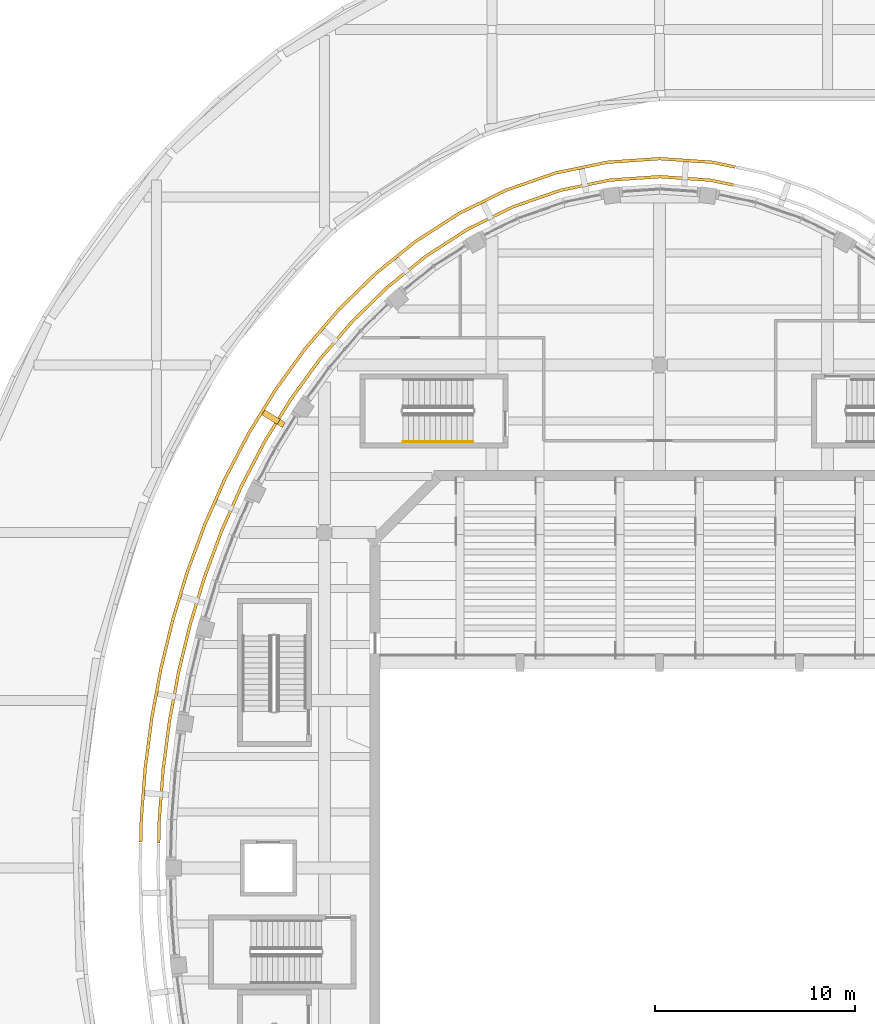
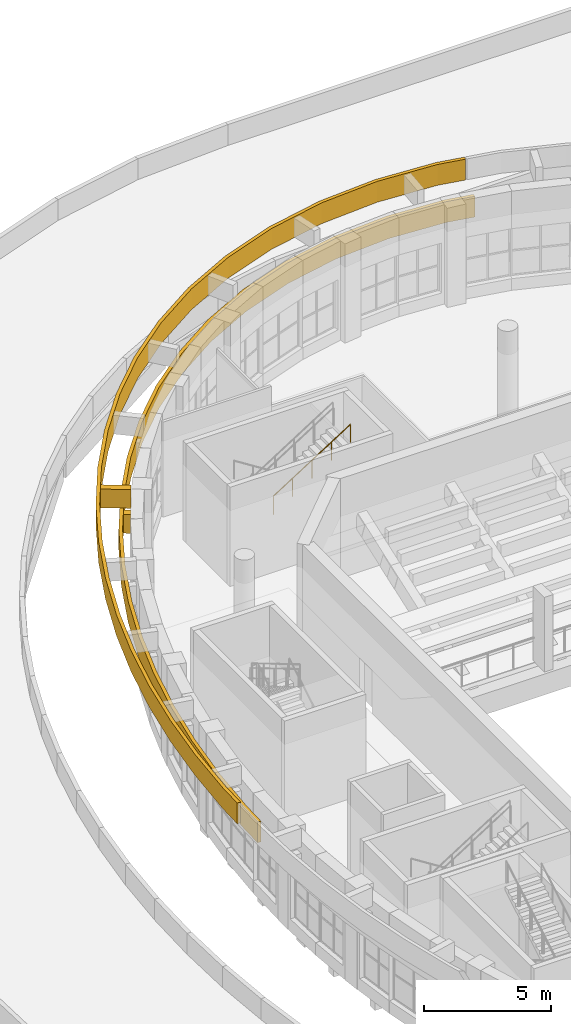
# One storey, part 75 of 79: 4 coverings, 1 railing.
"""IFC4 building model written with IfcOpenShell, lengths in metres."""

from ifc_helpers import new_model, si_unit, direction, frame, origin, origin_2d, place, context, subcontext, project, spatial, polyline, rectangle, circle, outline, extrude, material, layer, layer_set, type_object, element, save


model = new_model("IFC4")

# Units and contexts
model_context = context("Model", 3, precision=1e-05, world=origin(), true_north=direction((0.0, 1.0)))
body_context = subcontext(model_context, "Body", "Model", "MODEL_VIEW")
ifc_project = project(units=[si_unit("LENGTHUNIT", "METRE"), si_unit("AREAUNIT", "SQUARE_METRE"), si_unit("VOLUMEUNIT", "CUBIC_METRE"), si_unit("PLANEANGLEUNIT", "RADIAN"), si_unit("MASSUNIT", "GRAM", prefix="KILO")], contexts=[model_context])

# Site, building, storey
site_placement = place(None, origin())
site = spatial("IfcSite", under=ifc_project, at=site_placement, CompositionType="ELEMENT")
building_placement = place(site_placement, origin())
building = spatial("IfcBuilding", under=site, at=building_placement, Name="Larchfold Concert Hall", CompositionType="ELEMENT")
storey_placement = place(building_placement, frame((0.0, 0.0, 14.39990234375)))
storey = spatial("IfcBuildingStorey", under=building, at=storey_placement, Name="L03", CompositionType="ELEMENT", Elevation=14.39990234375)

# Coverings
ifc_material_1 = material(Name="Powder-coated orange aluminium", Category="aluminium")
ifc_layer_1 = layer(ifc_material_1, 0.14990234375)
ifc_layer_set_1 = layer_set([ifc_layer_1], Name="Powder-coated orange aluminium")
covering_type_1 = type_object("IfcCoveringType", Name="Orange aluminium ring cladding", PredefinedType="CLADDING", material=ifc_layer_set_1)
covering_1_placement = place(storey_placement, frame((0.0, 0.0, 3.300048828125)))
element("IfcCovering", 1, at=covering_1_placement, inside=storey, type_object=covering_type_1, Name="Ring band R06b", PredefinedType="CLADDING", context=body_context, shape_type="SweptSolid", body=[
    extrude(outline(polyline([(42.60009765625, 119.1513671875), (45.101806640625, 118.97900390625), (46.27587890625, 118.735595703125), (46.2919921875, 118.88525390625), (45.122314453125, 119.1279296875), (42.60009765625, 119.3017578125), (40.077880859375, 119.1279296875), (37.60498046875, 118.614990234375), (35.2236328125, 117.78564453125), (32.96728515625, 116.672607421875), (30.85791015625, 115.31298828125), (28.9072265625, 113.7431640625), (27.121337890625, 111.996826171875), (25.49951171875, 110.103271484375), (24.039794921875, 108.088134765625), (22.737548828125, 105.97216796875), (21.58837890625, 103.773193359375), (20.5869140625, 101.506103515625), (19.728759765625, 99.18359375), (19.009765625, 96.81591796875), (18.42626953125, 94.41259765625), (17.9755859375, 91.982421875), (17.655029296875, 89.5322265625), (17.463623046875, 87.0693359375), (17.4326171875, 85.870361328125), (17.58251953125, 85.863037109375), (17.61328125, 87.0615234375), (17.80419921875, 89.5166015625), (18.123779296875, 91.958984375), (18.572998046875, 94.381103515625), (19.154541015625, 96.7763671875), (19.87109375, 99.1357421875), (20.72607421875, 101.449951171875), (21.7236328125, 103.7080078125), (22.8681640625, 105.89794921875), (24.16455078125, 108.004638671875), (25.617431640625, 110.01025390625), (27.23095703125, 111.894287109375), (29.0068359375, 113.630859375), (30.94580078125, 115.191162109375), (33.041259765625, 116.5419921875), (35.28173828125, 117.647216796875), (37.64501953125, 118.47021484375), (40.098388671875, 118.97900390625), (42.60009765625, 119.1513671875)])), origin(), (0.0, 0.0, 1.0), 1.0),
])
covering_2_placement = place(storey_placement, frame((0.0, 0.0, 4.5)))
element("IfcCovering", 2, at=covering_2_placement, inside=storey, type_object=covering_type_1, Name="Ring band R07b", PredefinedType="CLADDING", context=body_context, shape_type="SweptSolid", body=[
    extrude(outline(polyline([(42.60009765625, 120.053466796875), (45.224609375, 119.872802734375), (46.373291015625, 119.634521484375), (46.3896484375, 119.7841796875), (45.2451171875, 120.021728515625), (42.60009765625, 120.203857421875), (39.955078125, 120.021728515625), (37.364501953125, 119.484375), (34.875244140625, 118.617431640625), (32.52294921875, 117.45703125), (30.33056640625, 116.043701171875), (28.30908203125, 114.4169921875), (26.463623046875, 112.612548828125), (24.792236328125, 110.660888671875), (23.291015625, 108.588623046875), (21.95458984375, 106.4169921875), (20.777099609375, 104.163818359375), (19.75244140625, 101.84423828125), (18.875244140625, 99.470458984375), (18.14111328125, 97.052978515625), (17.5458984375, 94.600830078125), (17.086181640625, 92.122802734375), (16.759521484375, 89.62548828125), (16.564453125, 87.115966796875), (16.533447265625, 85.914794921875), (16.683349609375, 85.907470703125), (16.71435546875, 87.108154296875), (16.908935546875, 89.610107421875), (17.234375, 92.099365234375), (17.692626953125, 94.569580078125), (18.285888671875, 97.013427734375), (19.017578125, 99.422607421875), (19.891357421875, 101.7880859375), (20.912353515625, 104.098876953125), (22.085205078125, 106.3427734375), (23.415771484375, 108.50537109375), (24.91015625, 110.568115234375), (26.5732421875, 112.509765625), (28.40869140625, 114.3046875), (30.41845703125, 115.921875), (32.596923828125, 117.326416015625), (34.933349609375, 118.478759765625), (37.404541015625, 119.33935546875), (39.9755859375, 119.872802734375), (42.60009765625, 120.053466796875)])), origin(), (0.0, 0.0, 1.0), 1.0),
])
ifc_material_2 = material(Name="Galvanised steel bracket", Category="steel")
ifc_layer_2 = layer(ifc_material_2, 0.300048828125)
ifc_layer_set_2 = layer_set([ifc_layer_2], Name="Galvanised steel bracket")
covering_type_2 = type_object("IfcCoveringType", Name="Ring support bracket", PredefinedType="CLADDING", material=ifc_layer_set_2)
covering_3_placement = place(storey_placement, frame((23.643798828125, 106.872314453125, 3.35009765625), z_axis=(0.0, 0.0, 1.0), x_axis=(-0.851675410882, 0.524069646611, 0.0)))
element("IfcCovering", 3, at=covering_3_placement, inside=storey, type_object=covering_type_2, Name="Ring bracket BR-R06-15", PredefinedType="CLADDING", context=body_context, shape_type="SweptSolid", body=[
    extrude(rectangle(XDim=0.300048828125, YDim=0.300048828125, at=origin_2d()), origin(), (0.0, 0.0, 1.0), 0.89990234375),
])
covering_4_placement = place(storey_placement, frame((23.260498046875, 107.108154296875, 4.550048828125), z_axis=(0.0, 0.0, 1.0), x_axis=(-0.851675410882, 0.524069646611, 0.0)))
element("IfcCovering", 4, at=covering_4_placement, inside=storey, type_object=covering_type_2, Name="Ring bracket BR-R07-15", PredefinedType="CLADDING", context=body_context, shape_type="SweptSolid", body=[
    extrude(rectangle(XDim=1.199951171875, YDim=0.300048828125, at=origin_2d()), origin(), (0.0, 0.0, 1.0), 0.89990234375),
])

# Railing
ifc_material_3 = material(Name="Stainless steel handrail", Category="steel")
railing_type = type_object("IfcRailingType", Name="Stair handrail 900", PredefinedType="HANDRAIL", material=ifc_material_3)
railing_placement = place(storey_placement, frame((29.739990234375, 105.9501953125, 2.571533203125)))
element("IfcRailing", 5, at=railing_placement, inside=storey, type_object=railing_type, Name="Handrail HR0010", PredefinedType="HANDRAIL", context=body_context, shape_type="SweptSolid", body=[
    extrude(circle(Radius=0.02392578125, at=origin_2d()), frame((0.0, 0.0, 0.8759765625), z_axis=(0.844219563411, 0.0, 0.53599750816), x_axis=(0.0, 1.0, 0.0)), (0.0, 0.0, 1.0), 4.15771484375),
    extrude(circle(Radius=0.02099609375, at=origin_2d()), origin(), (0.0, 0.0, 1.0), 0.851806640625),
    extrude(circle(Radius=0.02099609375, at=origin_2d()), frame((0.87744140625, 0.0, 0.55712890625)), (0.0, 0.0, 1.0), 0.851806640625),
    extrude(circle(Radius=0.02099609375, at=origin_2d()), frame((1.7548828125, 0.0, 1.1142578125)), (0.0, 0.0, 1.0), 0.851806640625),
    extrude(circle(Radius=0.02099609375, at=origin_2d()), frame((2.632568359375, 0.0, 1.67138671875)), (0.0, 0.0, 1.0), 0.851806640625),
    extrude(circle(Radius=0.02099609375, at=origin_2d()), frame((3.510009765625, 0.0, 2.228515625)), (0.0, 0.0, 1.0), 0.851806640625),
])

save(model, "model.ifc")
